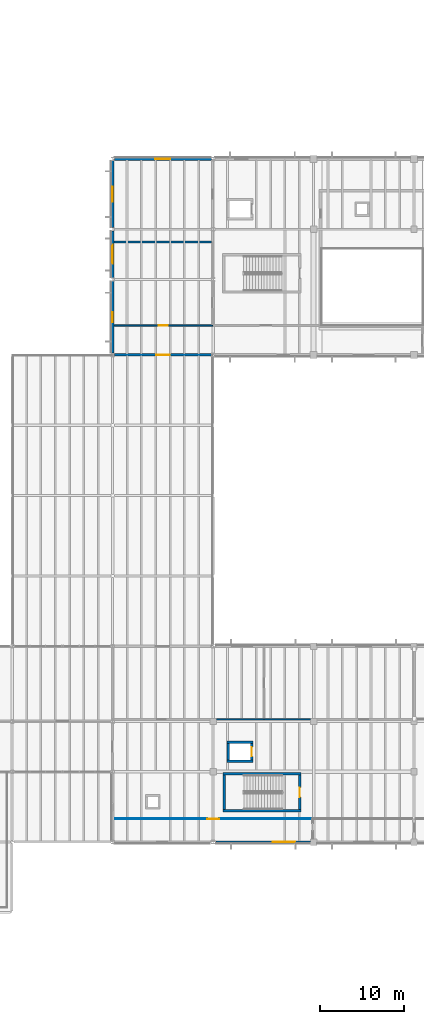
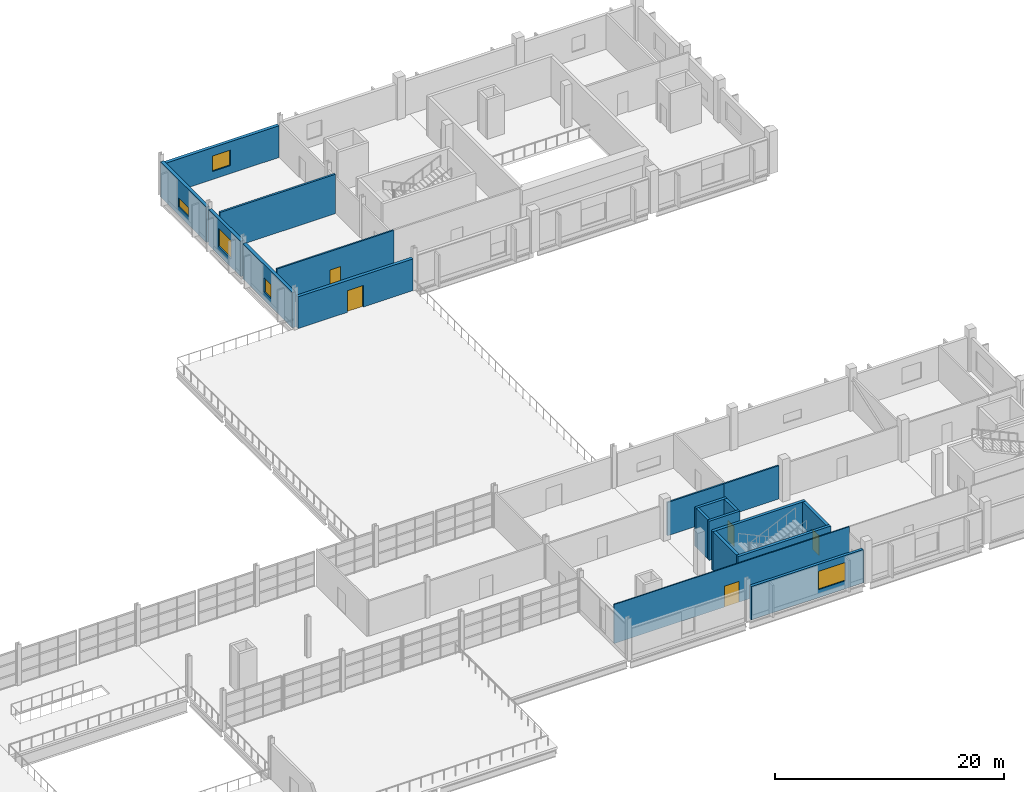
# One storey, part 60 of 78: 19 walls, 5 doors, 5 windows, 10 openings.
"""IFC4 building model written with IfcOpenShell, lengths in metres."""

from ifc_helpers import new_model, si_unit, direction, frame, frame_2d, origin, place, context, subcontext, project, spatial, rectangle, extrude, material, layer, layer_set, type_object, element, fill, save


model = new_model("IFC4")

# Units and contexts
model_context = context("Model", 3, precision=1e-05, world=origin(), true_north=direction((0.0, 1.0)))
body_context = subcontext(model_context, "Body", "Model", "MODEL_VIEW")
ifc_project = project(units=[si_unit("LENGTHUNIT", "METRE"), si_unit("AREAUNIT", "SQUARE_METRE"), si_unit("VOLUMEUNIT", "CUBIC_METRE"), si_unit("PLANEANGLEUNIT", "RADIAN"), si_unit("MASSUNIT", "GRAM", prefix="KILO")], contexts=[model_context])

# Site, building, storey
site_placement = place(None, origin())
site = spatial("IfcSite", under=ifc_project, at=site_placement, CompositionType="ELEMENT")
building_placement = place(site_placement, origin())
building = spatial("IfcBuilding", under=site, at=building_placement, Name="Kelmvaro Bay Concert Hall", CompositionType="ELEMENT")
storey_placement = place(building_placement, frame((0.0, 0.0, 9.300048828125)))
storey = spatial("IfcBuildingStorey", under=building, at=storey_placement, Name="L02", CompositionType="ELEMENT", Elevation=9.300048828125)

# Wall, opening, door
ifc_material_1 = material(Name="Acoustic Gypsum Board on Galvanised Steel Studs", Category="steel")
ifc_layer_1 = layer(ifc_material_1, 0.110107421875)
ifc_layer_set_1 = layer_set([ifc_layer_1], Name="Acoustic Gypsum Board on Galvanised Steel Studs")
wall_type_1 = type_object("IfcWallType", Name="Administration Demising Partition 110", PredefinedType="PARTITIONING", material=ifc_layer_set_1)
wall_1_placement = place(storey_placement, frame((120.14990234375, 18.3798828125, 0.0), z_axis=(0.0, 0.0, 1.0), x_axis=(1.0, 0.0, 0.0)))
wall_1 = element("IfcWall", 1, at=wall_1_placement, inside=storey, type_object=wall_type_1, Name="L02 Interior Partition PT-L02-0256", PredefinedType="PARTITIONING", context=body_context, shape_type="SweptSolid", body=[
    extrude(rectangle(XDim=23.735107421875, YDim=0.110107421875, at=frame_2d((11.86767578125, 0.0))), origin(), (0.0, 0.0, 1.0), 4.159912109375),
])
opening_1_placement = place(wall_1_placement, frame((11.12744140625, 0.0, 0.0)))
opening_1 = element("IfcOpeningElement", 2, at=opening_1_placement, cuts=wall_1, Name="Opening ID-AD2", PredefinedType="OPENING", context=body_context, shape_type="SweptSolid", body=[
    extrude(rectangle(XDim=1.47998046875, YDim=2.219970703125, at=frame_2d((0.739990234375, 1.10986328125))), frame((0.0, 0.06494140625, 0.0), z_axis=(0.0, -1.0, 0.0), x_axis=(1.0, 0.0, 0.0)), (0.0, 0.0, 1.0), 0.130126953125),
])
ifc_material_2 = material(Name="Anodised Aluminium and Glass", Category="aluminium")
door_type_1 = type_object("IfcDoorType", Name="Board Salon Double Glazed Door 1480x2220", OperationType="NOTDEFINED", PredefinedType="DOOR", material=ifc_material_2)
door_1_placement = place(opening_1_placement, origin())
door_1 = element("IfcDoor", 3, at=door_1_placement, inside=storey, type_object=door_type_1, Name="L02 Interior Door DR-INT-L02-0150", OperationType="DOUBLE_DOOR_SINGLE_SWING", OverallHeight=2.219970703125, OverallWidth=1.47998046875, PredefinedType="DOOR", context=body_context, shape_type="SweptSolid", body=[
    extrude(rectangle(XDim=1.47998046875, YDim=2.219970703125, at=frame_2d((0.739990234375, 1.10986328125))), frame((0.0, 0.02490234375, 0.0), z_axis=(0.0, -1.0, 0.0), x_axis=(1.0, 0.0, 0.0)), (0.0, 0.0, 1.0), 0.050048828125),
])
fill(opening_1, door_1)

ifc_material_3 = material(Name="Precast Concrete C40/50", Category="concrete")
ifc_layer_2 = layer(ifc_material_3, 0.320068359375)
ifc_layer_set_2 = layer_set([ifc_layer_2], Name="Precast Concrete C40/50")
wall_type_2 = type_object("IfcWallType", Name="Chamber Pavilion Precast Wall 320", PredefinedType="SOLIDWALL", material=ifc_layer_set_2)
wall_2_placement = place(storey_placement, frame((131.799560546875, 73.800048828125, 0.0), z_axis=(0.0, 0.0, 1.0), x_axis=(-1.0, 0.0, 0.0)))
wall_2 = element("IfcWall", 4, at=wall_2_placement, inside=storey, type_object=wall_type_2, Name="L02 Exterior Wall EW-L02-0133", PredefinedType="SOLIDWALL", context=body_context, shape_type="SweptSolid", body=[
    extrude(rectangle(XDim=11.59912109375, YDim=0.320068359375, at=frame_2d((5.799560546875, 0.0))), origin(), (0.0, 0.0, 1.0), 3.387939453125),
])
opening_2_placement = place(wall_2_placement, frame((4.99951171875, 0.0, 0.0)))
opening_2 = element("IfcOpeningElement", 5, at=opening_2_placement, cuts=wall_2, Name="Opening ED-160", PredefinedType="OPENING", context=body_context, shape_type="SweptSolid", body=[
    extrude(rectangle(XDim=1.60009765625, YDim=2.300048828125, at=frame_2d((0.800048828125, 1.14990234375))), frame((0.0, 0.169921875, 0.0), z_axis=(0.0, -1.0, 0.0), x_axis=(1.0, 0.0, 0.0)), (0.0, 0.0, 1.0), 0.340087890625),
])
ifc_material_4 = material(Name="Thermally Broken Aluminium and Laminated Safety Glass", Category="aluminium")
door_type_2 = type_object("IfcDoorType", Name="Terrace Promenade Double Glazed Door 1600x2300", OperationType="NOTDEFINED", PredefinedType="DOOR", material=ifc_material_4)
door_2_placement = place(opening_2_placement, origin())
door_2 = element("IfcDoor", 6, at=door_2_placement, inside=storey, type_object=door_type_2, Name="L02 Exterior Door DR-EXT-L02-009", OperationType="DOUBLE_DOOR_SINGLE_SWING", OverallHeight=2.300048828125, OverallWidth=1.60009765625, PredefinedType="DOOR", context=body_context, shape_type="SweptSolid", body=[
    extrude(rectangle(XDim=1.60009765625, YDim=2.300048828125, at=frame_2d((0.800048828125, 1.14990234375))), frame((0.0, 0.02490234375, 0.0), z_axis=(0.0, -1.0, 0.0), x_axis=(1.0, 0.0, 0.0)), (0.0, 0.0, 1.0), 0.050048828125),
])
fill(opening_2, door_2)

# Wall, opening, window
wall_3_placement = place(storey_placement, frame((120.200439453125, 97.199951171875, 0.0), z_axis=(0.0, 0.0, 1.0), x_axis=(1.0, 0.0, 0.0)))
wall_3 = element("IfcWall", 7, at=wall_3_placement, inside=storey, type_object=wall_type_2, Name="L02 Exterior Wall EW-L02-0137", PredefinedType="SOLIDWALL", context=body_context, shape_type="SweptSolid", body=[
    extrude(rectangle(XDim=11.59912109375, YDim=0.320068359375, at=frame_2d((5.799560546875, 0.0))), origin(), (0.0, 0.0, 1.0), 3.387939453125),
])
opening_3_placement = place(wall_3_placement, frame((4.8994140625, 0.0, 0.85009765625)))
opening_3 = element("IfcOpeningElement", 8, at=opening_3_placement, cuts=wall_3, Name="Opening WN-03", PredefinedType="OPENING", context=body_context, shape_type="SweptSolid", body=[
    extrude(rectangle(XDim=1.800048828125, YDim=1.64990234375, at=frame_2d((0.89990234375, 0.824951171875))), frame((0.0, 0.169921875, 0.0), z_axis=(0.0, -1.0, 0.0), x_axis=(1.0, 0.0, 0.0)), (0.0, 0.0, 1.0), 0.340087890625),
])
ifc_material_5 = material(Name="Thermally Broken Aluminium and Acoustic Low-E Glass", Category="aluminium")
window_type_1 = type_object("IfcWindowType", Name="Practice Studio Acoustic Window 1800x1650", PartitioningType="SINGLE_PANEL", PredefinedType="WINDOW", material=ifc_material_5)
window_1_placement = place(opening_3_placement, origin())
window_1 = element("IfcWindow", 9, at=window_1_placement, inside=storey, type_object=window_type_1, Name="L02 Facade Window WN-L02-0058", OverallHeight=1.64990234375, OverallWidth=1.800048828125, PartitioningType="SINGLE_PANEL", PredefinedType="WINDOW", context=body_context, shape_type="SweptSolid", body=[
    extrude(rectangle(XDim=1.800048828125, YDim=1.64990234375, at=frame_2d((0.89990234375, 0.824951171875))), frame((0.0, 0.030029296875, 0.0), z_axis=(0.0, -1.0, 0.0), x_axis=(1.0, 0.0, 0.0)), (0.0, 0.0, 1.0), 0.06005859375),
])
fill(opening_3, window_1)

wall_4_placement = place(storey_placement, frame((120.0, 73.99951171875, 0.0), z_axis=(0.0, 0.0, 1.0), x_axis=(0.0, 1.0, 0.0)))
wall_4 = element("IfcWall", 10, at=wall_4_placement, inside=storey, type_object=wall_type_2, Name="L02 Exterior Wall EW-L02-0141", PredefinedType="SOLIDWALL", context=body_context, shape_type="SweptSolid", body=[
    extrude(rectangle(XDim=8.603515625, YDim=0.320068359375, at=frame_2d((4.3017578125, 0.0))), origin(), (0.0, 0.0, 1.0), 3.763916015625),
])
opening_4_placement = place(wall_4_placement, frame((3.701904296875, 0.0, 0.85009765625)))
opening_4 = element("IfcOpeningElement", 11, at=opening_4_placement, cuts=wall_4, Name="Opening WN-06", PredefinedType="OPENING", context=body_context, shape_type="SweptSolid", body=[
    extrude(rectangle(XDim=1.199951171875, YDim=1.5, at=frame_2d((0.60009765625, 0.75))), frame((0.0, 0.169921875, 0.0), z_axis=(0.0, -1.0, 0.0), x_axis=(1.0, 0.0, 0.0)), (0.0, 0.0, 1.0), 0.340087890625),
])
ifc_material_6 = material(Name="Thermally Broken Aluminium and Acoustic Low-E Glass", Category="aluminium")
window_type_2 = type_object("IfcWindowType", Name="Dressing Suite Daylight Window 1200x1500", PartitioningType="SINGLE_PANEL", PredefinedType="WINDOW", material=ifc_material_6)
window_2_placement = place(opening_4_placement, origin())
window_2 = element("IfcWindow", 12, at=window_2_placement, inside=storey, type_object=window_type_2, Name="L02 Facade Window WN-L02-0061", OverallHeight=1.5, OverallWidth=1.199951171875, PartitioningType="SINGLE_PANEL", PredefinedType="WINDOW", context=body_context, shape_type="SweptSolid", body=[
    extrude(rectangle(XDim=1.199951171875, YDim=1.5, at=frame_2d((0.60009765625, 0.75))), frame((0.0, 0.030029296875, 0.0), z_axis=(0.0, -1.0, 0.0), x_axis=(1.0, 0.0, 0.0)), (0.0, 0.0, 1.0), 0.06005859375),
])
fill(opening_4, window_2)

wall_5_placement = place(storey_placement, frame((120.0, 82.9970703125, 0.0), z_axis=(0.0, 0.0, 1.0), x_axis=(0.0, 1.0, 0.0)))
wall_5 = element("IfcWall", 13, at=wall_5_placement, inside=storey, type_object=wall_type_2, Name="L02 Exterior Wall EW-L02-0143", PredefinedType="SOLIDWALL", context=body_context, shape_type="SweptSolid", body=[
    extrude(rectangle(XDim=5.60595703125, YDim=0.320068359375, at=frame_2d((2.802978515625, 0.0))), origin(), (0.0, 0.0, 1.0), 3.763916015625),
])
opening_5_placement = place(wall_5_placement, frame((1.677978515625, 0.0, 0.85009765625)))
opening_5 = element("IfcOpeningElement", 14, at=opening_5_placement, cuts=wall_5, Name="Opening WN-08", PredefinedType="OPENING", context=body_context, shape_type="SweptSolid", body=[
    extrude(rectangle(XDim=2.25, YDim=1.949951171875, at=frame_2d((1.125, 0.97509765625))), frame((0.0, 0.169921875, 0.0), z_axis=(0.0, -1.0, 0.0), x_axis=(1.0, 0.0, 0.0)), (0.0, 0.0, 1.0), 0.340087890625),
])
ifc_material_7 = material(Name="Thermally Broken Aluminium and Acoustic Low-E Glass", Category="aluminium")
window_type_3 = type_object("IfcWindowType", Name="Classroom Mullion Window 2250x1950", PartitioningType="SINGLE_PANEL", PredefinedType="WINDOW", material=ifc_material_7)
window_3_placement = place(opening_5_placement, origin())
window_3 = element("IfcWindow", 15, at=window_3_placement, inside=storey, type_object=window_type_3, Name="L02 Facade Window WN-L02-0063", OverallHeight=1.949951171875, OverallWidth=2.25, PartitioningType="SINGLE_PANEL", PredefinedType="WINDOW", context=body_context, shape_type="SweptSolid", body=[
    extrude(rectangle(XDim=2.25, YDim=1.949951171875, at=frame_2d((1.125, 0.97509765625))), frame((0.0, 0.030029296875, 0.0), z_axis=(0.0, -1.0, 0.0), x_axis=(1.0, 0.0, 0.0)), (0.0, 0.0, 1.0), 0.06005859375),
])
fill(opening_5, window_3)

wall_6_placement = place(storey_placement, frame((120.0, 88.9970703125, 0.0), z_axis=(0.0, 0.0, 1.0), x_axis=(0.0, 1.0, 0.0)))
wall_6 = element("IfcWall", 16, at=wall_6_placement, inside=storey, type_object=wall_type_2, Name="L02 Exterior Wall EW-L02-0145", PredefinedType="SOLIDWALL", context=body_context, shape_type="SweptSolid", body=[
    extrude(rectangle(XDim=8.00341796875, YDim=0.320068359375, at=frame_2d((4.001708984375, 0.0))), origin(), (0.0, 0.0, 1.0), 3.763916015625),
])
opening_6_placement = place(wall_6_placement, frame((3.101806640625, 0.0, 0.85009765625)))
opening_6 = element("IfcOpeningElement", 17, at=opening_6_placement, cuts=wall_6, Name="Opening WN-10", PredefinedType="OPENING", context=body_context, shape_type="SweptSolid", body=[
    extrude(rectangle(XDim=1.800048828125, YDim=0.949951171875, at=frame_2d((0.89990234375, 0.47509765625))), frame((0.0, 0.169921875, 0.0), z_axis=(0.0, -1.0, 0.0), x_axis=(1.0, 0.0, 0.0)), (0.0, 0.0, 1.0), 0.340087890625),
])
ifc_material_8 = material(Name="Thermally Broken Aluminium and Acoustic Low-E Glass", Category="aluminium")
window_type_4 = type_object("IfcWindowType", Name="Archive Clerestory Window 1800x950", PartitioningType="SINGLE_PANEL", PredefinedType="WINDOW", material=ifc_material_8)
window_4_placement = place(opening_6_placement, origin())
window_4 = element("IfcWindow", 18, at=window_4_placement, inside=storey, type_object=window_type_4, Name="L02 Facade Window WN-L02-0065", OverallHeight=0.949951171875, OverallWidth=1.800048828125, PartitioningType="SINGLE_PANEL", PredefinedType="WINDOW", context=body_context, shape_type="SweptSolid", body=[
    extrude(rectangle(XDim=1.800048828125, YDim=0.949951171875, at=frame_2d((0.89990234375, 0.47509765625))), frame((0.0, 0.030029296875, 0.0), z_axis=(0.0, -1.0, 0.0), x_axis=(1.0, 0.0, 0.0)), (0.0, 0.0, 1.0), 0.06005859375),
])
fill(opening_6, window_4)

# Wall
ifc_material_9 = material(Name="Acoustic Gypsum Board on Galvanised Steel Studs", Category="steel")
ifc_layer_3 = layer(ifc_material_9, 0.199951171875)
ifc_layer_set_3 = layer_set([ifc_layer_3], Name="Acoustic Gypsum Board on Galvanised Steel Studs")
wall_type_3 = type_object("IfcWallType", Name="Double-Stud Acoustic Studio Partition 200", PredefinedType="PARTITIONING", material=ifc_layer_set_3)
wall_7_placement = place(storey_placement, frame((120.169921875, 87.280029296875, 0.0), z_axis=(0.0, 0.0, 1.0), x_axis=(1.0, 0.0, 0.0)))
element("IfcWall", 19, at=wall_7_placement, inside=storey, type_object=wall_type_3, Name="L02 Interior Partition PT-L02-0227", PredefinedType="PARTITIONING", context=body_context, shape_type="SweptSolid", body=[
    extrude(rectangle(XDim=11.64013671875, YDim=0.199951171875, at=frame_2d((5.820068359375, 0.0))), origin(), (0.0, 0.0, 1.0), 4.18994140625),
])

# Wall, opening, window
ifc_material_10 = material(Name="Precast Concrete C40/50", Category="concrete")
ifc_layer_4 = layer(ifc_material_10, 0.280029296875)
ifc_layer_set_4 = layer_set([ifc_layer_4], Name="Precast Concrete C40/50")
wall_type_4 = type_object("IfcWallType", Name="Percussion Pavilion Precast Wall 280", PredefinedType="SOLIDWALL", material=ifc_layer_set_4)
wall_8_placement = place(storey_placement, frame((143.625, 15.60009765625, 0.0), z_axis=(0.0, 0.0, 1.0), x_axis=(-1.0, 0.0, 0.0)))
wall_8 = element("IfcWall", 20, at=wall_8_placement, inside=storey, type_object=wall_type_4, Name="L02 Exterior Wall EW-L02-0221", PredefinedType="SOLIDWALL", context=body_context, shape_type="SweptSolid", body=[
    extrude(rectangle(XDim=11.300048828125, YDim=0.280029296875, at=frame_2d((5.64990234375, 0.0))), origin(), (0.0, 0.0, 1.0), 3.549072265625),
])
opening_7_placement = place(wall_8_placement, frame((1.81396484375, 0.0, 0.85009765625)))
opening_7 = element("IfcOpeningElement", 21, at=opening_7_placement, cuts=wall_8, Name="Opening WN-07", PredefinedType="OPENING", context=body_context, shape_type="SweptSolid", body=[
    extrude(rectangle(XDim=2.699951171875, YDim=1.949951171875, at=frame_2d((1.35009765625, 0.97509765625))), frame((0.0, 0.14990234375, 0.0), z_axis=(0.0, -1.0, 0.0), x_axis=(1.0, 0.0, 0.0)), (0.0, 0.0, 1.0), 0.300048828125),
])
ifc_material_11 = material(Name="Thermally Broken Aluminium and Acoustic Low-E Glass", Category="aluminium")
window_type_5 = type_object("IfcWindowType", Name="Classroom Mullion Window 2700x1950", PartitioningType="SINGLE_PANEL", PredefinedType="WINDOW", material=ifc_material_11)
window_5_placement = place(opening_7_placement, origin())
window_5 = element("IfcWindow", 22, at=window_5_placement, inside=storey, type_object=window_type_5, Name="L02 Facade Window WN-L02-0114", OverallHeight=1.949951171875, OverallWidth=2.699951171875, PartitioningType="SINGLE_PANEL", PredefinedType="WINDOW", context=body_context, shape_type="SweptSolid", body=[
    extrude(rectangle(XDim=2.699951171875, YDim=1.949951171875, at=frame_2d((1.35009765625, 0.97509765625))), frame((0.0, 0.030029296875, 0.0), z_axis=(0.0, -1.0, 0.0), x_axis=(1.0, 0.0, 0.0)), (0.0, 0.0, 1.0), 0.06005859375),
])
fill(opening_7, window_5)

# Wall, opening, door
ifc_material_12 = material(Name="Acoustic Gypsum Board on Galvanised Steel Studs", Category="steel")
ifc_layer_5 = layer(ifc_material_12, 0.159912109375)
ifc_layer_set_5 = layer_set([ifc_layer_5], Name="Acoustic Gypsum Board on Galvanised Steel Studs")
wall_type_5 = type_object("IfcWallType", Name="Practice Room Acoustic Partition 160", PredefinedType="PARTITIONING", material=ifc_layer_set_5)
wall_9_placement = place(storey_placement, frame((120.169921875, 77.320068359375, 0.0), z_axis=(0.0, 0.0, 1.0), x_axis=(1.0, 0.0, 0.0)))
wall_9 = element("IfcWall", 23, at=wall_9_placement, inside=storey, type_object=wall_type_5, Name="L02 Interior Partition PT-L02-0221", PredefinedType="PARTITIONING", context=body_context, shape_type="SweptSolid", body=[
    extrude(rectangle(XDim=11.780029296875, YDim=0.159912109375, at=frame_2d((5.89013671875, 0.0))), origin(), (0.0, 0.0, 1.0), 4.18994140625),
])
opening_8_placement = place(wall_9_placement, frame((5.360107421875, 0.0, 0.0)))
opening_8 = element("IfcOpeningElement", 24, at=opening_8_placement, cuts=wall_9, Name="Opening ID-PR2", PredefinedType="OPENING", context=body_context, shape_type="SweptSolid", body=[
    extrude(rectangle(XDim=1.06005859375, YDim=2.219970703125, at=frame_2d((0.530029296875, 1.10986328125))), frame((0.0, 0.08984375, 0.0), z_axis=(0.0, -1.0, 0.0), x_axis=(1.0, 0.0, 0.0)), (0.0, 0.0, 1.0), 0.179931640625),
])
ifc_material_13 = material(Name="Solid White Oak Acoustic Leaf")
door_type_3 = type_object("IfcDoorType", Name="Ensemble Room Acoustic Door 1060x2220", OperationType="NOTDEFINED", PredefinedType="DOOR", material=ifc_material_13)
door_3_placement = place(opening_8_placement, origin())
door_3 = element("IfcDoor", 25, at=door_3_placement, inside=storey, type_object=door_type_3, Name="L02 Interior Door DR-INT-L02-0131", OperationType="SINGLE_SWING_LEFT", OverallHeight=2.219970703125, OverallWidth=1.06005859375, PredefinedType="DOOR", context=body_context, shape_type="SweptSolid", body=[
    extrude(rectangle(XDim=1.06005859375, YDim=2.219970703125, at=frame_2d((0.530029296875, 1.10986328125))), frame((0.0, 0.02490234375, 0.0), z_axis=(0.0, -1.0, 0.0), x_axis=(1.0, 0.0, 0.0)), (0.0, 0.0, 1.0), 0.050048828125),
])
fill(opening_8, door_3)

# Walls
wall_10_placement = place(storey_placement, frame((132.383056640625, 30.280029296875, 0.0), z_axis=(0.0, 0.0, 1.0), x_axis=(1.0, 0.0, 0.0)))
element("IfcWall", 26, at=wall_10_placement, inside=storey, type_object=wall_type_5, Name="L02 Interior Partition PT-L02-0260", PredefinedType="PARTITIONING", context=body_context, shape_type="SweptSolid", body=[
    extrude(rectangle(XDim=5.701904296875, YDim=0.159912109375, at=frame_2d((2.85107421875, 0.0))), origin(), (0.0, 0.0, 1.0), 3.549072265625),
])
wall_11_placement = place(storey_placement, frame((138.074951171875, 30.280029296875, 0.0), z_axis=(0.0, 0.0, 1.0), x_axis=(1.0, 0.0, 0.0)))
element("IfcWall", 27, at=wall_11_placement, inside=storey, type_object=wall_type_5, Name="L02 Interior Partition PT-L02-0261", PredefinedType="PARTITIONING", context=body_context, shape_type="SweptSolid", body=[
    extrude(rectangle(XDim=5.5419921875, YDim=0.159912109375, at=frame_2d((2.77099609375, 0.0))), origin(), (0.0, 0.0, 1.0), 3.549072265625),
])
ifc_material_14 = material(Name="Concrete C40/50", Category="concrete")
ifc_layer_6 = layer(ifc_material_14, 0.27001953125)
ifc_layer_set_6 = layer_set([ifc_layer_6], Name="Concrete C40/50")
wall_type_6 = type_object("IfcWallType", Name="Secondary Shaft Shear Wall 270", PredefinedType="SHEAR", material=ifc_layer_set_6)
for number, where, z_axis, x_axis, name in (
    (28, (133.655029296875, 25.264892578125, 0.0), (0.0, 0.0, 1.0), (1.0, 0.0, 0.0), "L02 LF-07 Lift Shaft Wall S"),
    (29, (133.655029296875, 27.534912109375, 0.0), (0.0, 0.0, 1.0), (1.0, 0.0, 0.0), "L02 LF-07 Lift Shaft Wall N"),
):
    element("IfcWall", number, at=place(storey_placement, frame(where, z_axis=z_axis, x_axis=x_axis)), inside=storey, type_object=wall_type_6, Name=name, PredefinedType="SHEAR", context=body_context, shape_type="SweptSolid", body=[
        extrude(rectangle(XDim=3.090087890625, YDim=0.27001953125, at=frame_2d((1.544921875, 0.0))), origin(), (0.0, 0.0, 1.0), 4.179931640625),
    ])
wall_12_placement = place(storey_placement, frame((133.7900390625, 25.39990234375, 0.0), z_axis=(0.0, 0.0, 1.0), x_axis=(0.0, 1.0, 0.0)))
element("IfcWall", 30, at=wall_12_placement, inside=storey, type_object=wall_type_6, Name="L02 LF-07 Lift Shaft Wall W", PredefinedType="SHEAR", context=body_context, shape_type="SweptSolid", body=[
    extrude(rectangle(XDim=2.0, YDim=0.27001953125, at=frame_2d((1.0, 0.0))), origin(), (0.0, 0.0, 1.0), 4.179931640625),
])

# Wall, opening, door
wall_13_placement = place(storey_placement, frame((136.610107421875, 25.39990234375, 0.0), z_axis=(0.0, 0.0, 1.0), x_axis=(0.0, 1.0, 0.0)))
wall_13 = element("IfcWall", 31, at=wall_13_placement, inside=storey, type_object=wall_type_6, Name="L02 LF-07 Lift Shaft Wall E", PredefinedType="SHEAR", context=body_context, shape_type="SweptSolid", body=[
    extrude(rectangle(XDim=2.0, YDim=0.27001953125, at=frame_2d((1.0, 0.0))), origin(), (0.0, 0.0, 1.0), 4.179931640625),
])
opening_9_placement = place(wall_13_placement, frame((0.43994140625, 0.0, 0.0)))
opening_9 = element("IfcOpeningElement", 32, at=opening_9_placement, cuts=wall_13, Name="Opening LD-112", PredefinedType="OPENING", context=body_context, shape_type="SweptSolid", body=[
    extrude(rectangle(XDim=1.1201171875, YDim=2.14990234375, at=frame_2d((0.56005859375, 1.074951171875))), frame((0.0, 0.14501953125, 0.0), z_axis=(0.0, -1.0, 0.0), x_axis=(1.0, 0.0, 0.0)), (0.0, 0.0, 1.0), 0.2900390625),
])
ifc_material_15 = material(Name="Brushed Stainless Steel 316", Category="steel")
door_type_4 = type_object("IfcDoorType", Name="Passenger Lift Sliding Landing Door 1120x2150", OperationType="NOTDEFINED", PredefinedType="DOOR", material=ifc_material_15)
door_4_placement = place(opening_9_placement, origin())
door_4 = element("IfcDoor", 33, at=door_4_placement, inside=storey, type_object=door_type_4, Name="L02 Lift Landing Door LF-07", OperationType="SLIDING_TO_LEFT", OverallHeight=2.14990234375, OverallWidth=1.1201171875, PredefinedType="DOOR", context=body_context, shape_type="SweptSolid", body=[
    extrude(rectangle(XDim=1.1201171875, YDim=2.14990234375, at=frame_2d((0.56005859375, 1.074951171875))), frame((0.0, 0.02490234375, 0.0), z_axis=(0.0, -1.0, 0.0), x_axis=(1.0, 0.0, 0.0)), (0.0, 0.0, 1.0), 0.050048828125),
])
fill(opening_9, door_4)

# Walls
ifc_material_16 = material(Name="Concrete C40/50", Category="concrete")
ifc_layer_7 = layer(ifc_material_16, 0.2900390625)
ifc_layer_set_7 = layer_set([ifc_layer_7], Name="Concrete C40/50")
wall_type_7 = type_object("IfcWallType", Name="Stair and Lift Core Shear Wall 290", PredefinedType="SHEAR", material=ifc_layer_set_7)
for number, where, z_axis, x_axis, name in (
    (34, (133.159912109375, 19.344970703125, 0.0), (0.0, 0.0, 1.0), (1.0, 0.0, 0.0), "L02 ST-05 Core Shear Wall S"),
    (35, (133.159912109375, 23.7451171875, 0.0), (0.0, 0.0, 1.0), (1.0, 0.0, 0.0), "L02 ST-05 Core Shear Wall N"),
):
    element("IfcWall", number, at=place(storey_placement, frame(where, z_axis=z_axis, x_axis=x_axis)), inside=storey, type_object=wall_type_7, Name=name, PredefinedType="SHEAR", context=body_context, shape_type="SweptSolid", body=[
        extrude(rectangle(XDim=9.330078125, YDim=0.2900390625, at=frame_2d((4.6650390625, 0.0))), origin(), (0.0, 0.0, 1.0), 4.179931640625),
    ])
wall_14_placement = place(storey_placement, frame((133.304931640625, 19.489990234375, 0.0), z_axis=(0.0, 0.0, 1.0), x_axis=(0.0, 1.0, 0.0)))
element("IfcWall", 36, at=wall_14_placement, inside=storey, type_object=wall_type_7, Name="L02 ST-05 Core Shear Wall W", PredefinedType="SHEAR", context=body_context, shape_type="SweptSolid", body=[
    extrude(rectangle(XDim=4.110107421875, YDim=0.2900390625, at=frame_2d((2.05517578125, 0.0))), origin(), (0.0, 0.0, 1.0), 4.179931640625),
])

# Wall, opening, door
wall_15_placement = place(storey_placement, frame((142.344970703125, 19.489990234375, 0.0), z_axis=(0.0, 0.0, 1.0), x_axis=(0.0, 1.0, 0.0)))
wall_15 = element("IfcWall", 37, at=wall_15_placement, inside=storey, type_object=wall_type_7, Name="L02 ST-05 Core Shear Wall E", PredefinedType="SHEAR", context=body_context, shape_type="SweptSolid", body=[
    extrude(rectangle(XDim=4.110107421875, YDim=0.2900390625, at=frame_2d((2.05517578125, 0.0))), origin(), (0.0, 0.0, 1.0), 4.179931640625),
])
opening_10_placement = place(wall_15_placement, frame((1.47998046875, 0.0, 0.0)))
opening_10 = element("IfcOpeningElement", 38, at=opening_10_placement, cuts=wall_15, Name="Opening ID-ST1", PredefinedType="OPENING", context=body_context, shape_type="SweptSolid", body=[
    extrude(rectangle(XDim=1.14990234375, YDim=2.14990234375, at=frame_2d((0.574951171875, 1.074951171875))), frame((0.0, 0.155029296875, 0.0), z_axis=(0.0, -1.0, 0.0), x_axis=(1.0, 0.0, 0.0)), (0.0, 0.0, 1.0), 0.31005859375),
])
ifc_material_17 = material(Name="Fire-Rated Galvanised Steel", Category="steel")
door_type_5 = type_object("IfcDoorType", Name="Exit Stair Fire Door 1150x2150", OperationType="NOTDEFINED", PredefinedType="DOOR", material=ifc_material_17)
door_5_placement = place(opening_10_placement, origin())
door_5 = element("IfcDoor", 39, at=door_5_placement, inside=storey, type_object=door_type_5, Name="L02 ST-05 Stair Fire Door", OperationType="SINGLE_SWING_RIGHT", OverallHeight=2.14990234375, OverallWidth=1.14990234375, PredefinedType="DOOR", context=body_context, shape_type="SweptSolid", body=[
    extrude(rectangle(XDim=1.14990234375, YDim=2.14990234375, at=frame_2d((0.574951171875, 1.074951171875))), frame((0.0, 0.02490234375, 0.0), z_axis=(0.0, -1.0, 0.0), x_axis=(1.0, 0.0, 0.0)), (0.0, 0.0, 1.0), 0.050048828125),
])
fill(opening_10, door_5)

save(model, "model.ifc")
